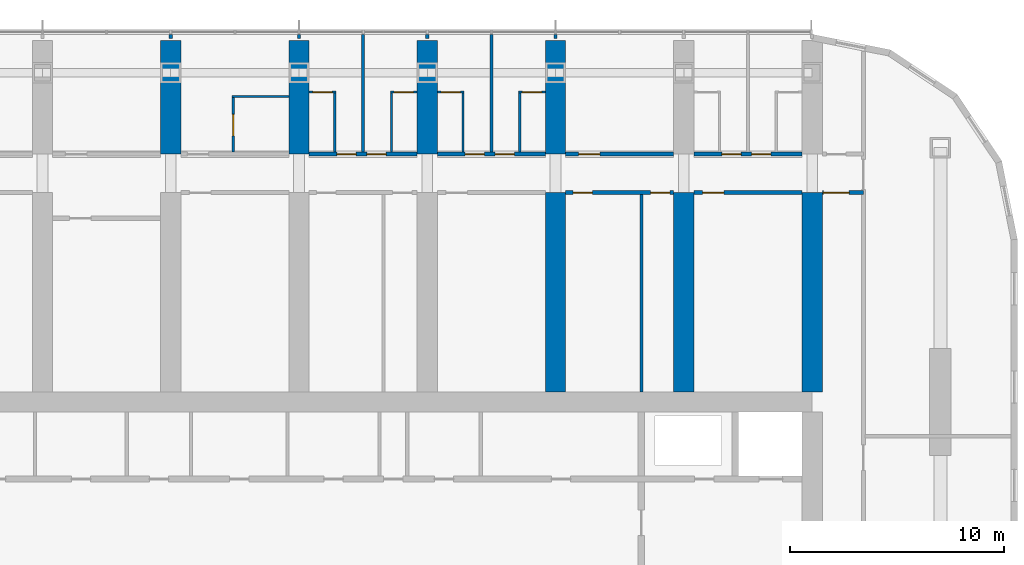
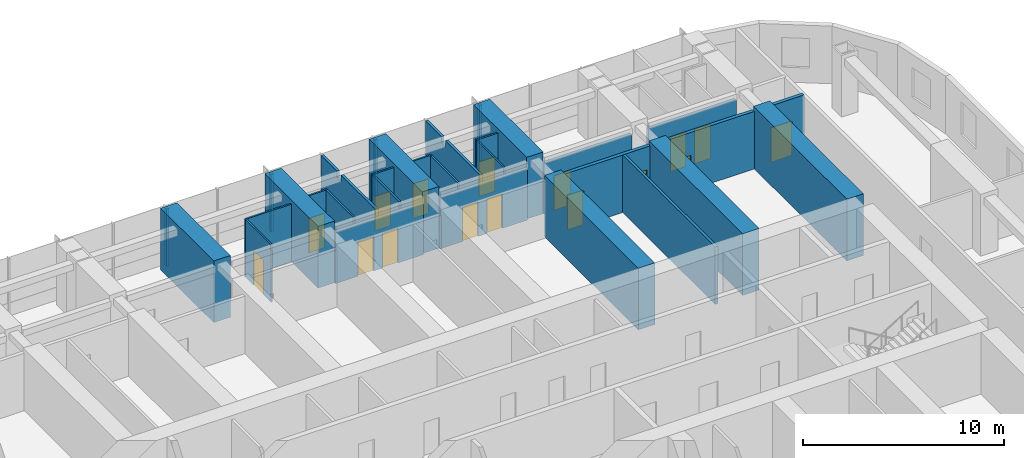
# One storey, part 14 of 21: 31 walls, 16 doors, 16 openings.
"""IFC4 building model written with IfcOpenShell, lengths in metres."""

from ifc_helpers import new_model, si_unit, direction, frame, frame_2d, origin, place, context, subcontext, project, spatial, polyline, rectangle, outline, extrude, material, layer, layer_set, type_object, element, fill, save


model = new_model("IFC4")

# Units and contexts
model_context = context("Model", 3, precision=1e-05, world=origin(), true_north=direction((0.0, 1.0)))
body_context = subcontext(model_context, "Body", "Model", "MODEL_VIEW")
ifc_project = project(units=[si_unit("LENGTHUNIT", "METRE"), si_unit("AREAUNIT", "SQUARE_METRE"), si_unit("VOLUMEUNIT", "CUBIC_METRE"), si_unit("PLANEANGLEUNIT", "RADIAN"), si_unit("MASSUNIT", "GRAM", prefix="KILO")], contexts=[model_context])

# Site, building, storey
site_placement = place(None, origin())
site = spatial("IfcSite", under=ifc_project, at=site_placement, CompositionType="ELEMENT")
building_placement = place(site_placement, origin())
building = spatial("IfcBuilding", under=site, at=building_placement, Name="Orbita Commons", CompositionType="ELEMENT")
storey_placement = place(building_placement, frame((0.0, 0.0, 106.89990234375)))
storey = spatial("IfcBuildingStorey", under=building, at=storey_placement, Name="L26", CompositionType="ELEMENT", Elevation=106.89990234375)

# Wall, openings, doors
ifc_material_1 = material(Name="Concrete blockwork", Category="masonry")
ifc_layer_1 = layer(ifc_material_1, 0.199951171875)
ifc_layer_set_1 = layer_set([ifc_layer_1], Name="Concrete blockwork")
wall_type_1 = type_object("IfcWallType", Name="Corridor wall 200 blockwork", PredefinedType="SOLIDWALL", material=ifc_layer_set_1)
wall_1_placement = place(storey_placement, frame((42.47509765625, 49.800048828125, 0.0), z_axis=(0.0, 0.0, 1.0), x_axis=(1.0, 0.0, 0.0)))
wall_1 = element("IfcWall", 1, at=wall_1_placement, inside=storey, type_object=wall_type_1, Name="Corridor wall 200 blockwork L26", PredefinedType="SOLIDWALL", context=body_context, shape_type="SweptSolid", body=[
    extrude(outline(polyline([(0.0, 0.0), (5.0498046875, 0.0), (5.050048828125, 3.10009765625), (0.0, 3.10009765625), (0.0, 0.0)])), frame((0.0, 0.10009765625, 0.0), z_axis=(0.0, -1.0, 0.0), x_axis=(1.0, 0.0, 0.0)), (0.0, 0.0, 1.0), 0.199951171875),
])
opening_1_placement = place(wall_1_placement, frame((1.300048828125, 0.0, 0.0)))
opening_1 = element("IfcOpeningElement", 2, at=opening_1_placement, cuts=wall_1, Name="Opening D11", PredefinedType="OPENING", context=body_context, shape_type="SweptSolid", body=[
    extrude(rectangle(XDim=0.89990234375, YDim=2.10009765625, at=frame_2d((0.449951171875, 1.050048828125))), frame((0.0, 0.10986328125, 0.0), z_axis=(0.0, -1.0, 0.0), x_axis=(1.0, 0.0, 0.0)), (0.0, 0.0, 1.0), 0.219970703125),
])
opening_2_placement = place(wall_1_placement, frame((2.699951171875, 0.0, 0.0)))
opening_2 = element("IfcOpeningElement", 3, at=opening_2_placement, cuts=wall_1, Name="Opening D11", PredefinedType="OPENING", context=body_context, shape_type="SweptSolid", body=[
    extrude(rectangle(XDim=0.89990234375, YDim=2.10009765625, at=frame_2d((0.449951171875, 1.050048828125))), frame((0.0, 0.10986328125, 0.0), z_axis=(0.0, -1.0, 0.0), x_axis=(1.0, 0.0, 0.0)), (0.0, 0.0, 1.0), 0.219970703125),
])
ifc_material_2 = material(Name="Steel-faced fire door leaf", Category="steel")
door_type_1 = type_object("IfcDoorType", Name="Corridor door 20 min 900x2100", OperationType="SINGLE_SWING_LEFT", PredefinedType="DOOR", material=ifc_material_2)
door_1_placement = place(opening_1_placement, origin())
door_1 = element("IfcDoor", 4, at=door_1_placement, inside=storey, type_object=door_type_1, Name="Cluster bedroom L26-N10 door", OperationType="SINGLE_SWING_LEFT", OverallHeight=2.10009765625, OverallWidth=0.89990234375, PredefinedType="DOOR", context=body_context, shape_type="SweptSolid", body=[
    extrude(rectangle(XDim=0.89990234375, YDim=2.10009765625, at=frame_2d((0.449951171875, 1.050048828125))), frame((0.0, 0.02490234375, 0.0), z_axis=(0.0, -1.0, 0.0), x_axis=(1.0, 0.0, 0.0)), (0.0, 0.0, 1.0), 0.050048828125),
])
fill(opening_1, door_1)
door_2_placement = place(opening_2_placement, origin())
door_2 = element("IfcDoor", 5, at=door_2_placement, inside=storey, type_object=door_type_1, Name="Cluster bedroom L26-N11 door", OperationType="SINGLE_SWING_LEFT", OverallHeight=2.10009765625, OverallWidth=0.89990234375, PredefinedType="DOOR", context=body_context, shape_type="SweptSolid", body=[
    extrude(rectangle(XDim=0.89990234375, YDim=2.10009765625, at=frame_2d((0.449951171875, 1.050048828125))), frame((0.0, 0.02490234375, 0.0), z_axis=(0.0, -1.0, 0.0), x_axis=(1.0, 0.0, 0.0)), (0.0, 0.0, 1.0), 0.050048828125),
])
fill(opening_2, door_2)

wall_2_placement = place(storey_placement, frame((48.47509765625, 49.800048828125, 0.0), z_axis=(0.0, 0.0, 1.0), x_axis=(1.0, 0.0, 0.0)))
wall_2 = element("IfcWall", 6, at=wall_2_placement, inside=storey, type_object=wall_type_1, Name="Corridor wall 200 blockwork L26", PredefinedType="SOLIDWALL", context=body_context, shape_type="SweptSolid", body=[
    extrude(outline(polyline([(0.0, 0.0), (5.0498046875, 0.0), (5.050048828125, 3.10009765625), (0.0, 3.10009765625), (0.0, 0.0)])), frame((0.0, 0.10009765625, 0.0), z_axis=(0.0, -1.0, 0.0), x_axis=(1.0, 0.0, 0.0)), (0.0, 0.0, 1.0), 0.199951171875),
])
opening_3_placement = place(wall_2_placement, frame((1.300048828125, 0.0, 0.0)))
opening_3 = element("IfcOpeningElement", 7, at=opening_3_placement, cuts=wall_2, Name="Opening D11", PredefinedType="OPENING", context=body_context, shape_type="SweptSolid", body=[
    extrude(rectangle(XDim=0.89990234375, YDim=2.10009765625, at=frame_2d((0.449951171875, 1.050048828125))), frame((0.0, 0.10986328125, 0.0), z_axis=(0.0, -1.0, 0.0), x_axis=(1.0, 0.0, 0.0)), (0.0, 0.0, 1.0), 0.219970703125),
])
opening_4_placement = place(wall_2_placement, frame((2.699951171875, 0.0, 0.0)))
opening_4 = element("IfcOpeningElement", 8, at=opening_4_placement, cuts=wall_2, Name="Opening D11", PredefinedType="OPENING", context=body_context, shape_type="SweptSolid", body=[
    extrude(rectangle(XDim=0.89990234375, YDim=2.10009765625, at=frame_2d((0.449951171875, 1.050048828125))), frame((0.0, 0.10986328125, 0.0), z_axis=(0.0, -1.0, 0.0), x_axis=(1.0, 0.0, 0.0)), (0.0, 0.0, 1.0), 0.219970703125),
])
door_3_placement = place(opening_3_placement, origin())
door_3 = element("IfcDoor", 9, at=door_3_placement, inside=storey, type_object=door_type_1, Name="Cluster bedroom L26-N12 door", OperationType="SINGLE_SWING_LEFT", OverallHeight=2.10009765625, OverallWidth=0.89990234375, PredefinedType="DOOR", context=body_context, shape_type="SweptSolid", body=[
    extrude(rectangle(XDim=0.89990234375, YDim=2.10009765625, at=frame_2d((0.449951171875, 1.050048828125))), frame((0.0, 0.02490234375, 0.0), z_axis=(0.0, -1.0, 0.0), x_axis=(1.0, 0.0, 0.0)), (0.0, 0.0, 1.0), 0.050048828125),
])
fill(opening_3, door_3)
door_4_placement = place(opening_4_placement, origin())
door_4 = element("IfcDoor", 10, at=door_4_placement, inside=storey, type_object=door_type_1, Name="Cluster bedroom L26-N13 door", OperationType="SINGLE_SWING_LEFT", OverallHeight=2.10009765625, OverallWidth=0.89990234375, PredefinedType="DOOR", context=body_context, shape_type="SweptSolid", body=[
    extrude(rectangle(XDim=0.89990234375, YDim=2.10009765625, at=frame_2d((0.449951171875, 1.050048828125))), frame((0.0, 0.02490234375, 0.0), z_axis=(0.0, -1.0, 0.0), x_axis=(1.0, 0.0, 0.0)), (0.0, 0.0, 1.0), 0.050048828125),
])
fill(opening_4, door_4)

# Wall, opening, door
wall_3_placement = place(storey_placement, frame((54.47509765625, 49.800048828125, 0.0), z_axis=(0.0, 0.0, 1.0), x_axis=(1.0, 0.0, 0.0)))
wall_3 = element("IfcWall", 11, at=wall_3_placement, inside=storey, type_object=wall_type_1, Name="Corridor wall 200 blockwork L26", PredefinedType="SOLIDWALL", context=body_context, shape_type="SweptSolid", body=[
    extrude(outline(polyline([(0.0, 0.0), (5.0498046875, 0.0), (5.050048828125, 3.10009765625), (0.0, 3.10009765625), (0.0, 0.0)])), frame((0.0, 0.10009765625, 0.0), z_axis=(0.0, -1.0, 0.0), x_axis=(1.0, 0.0, 0.0)), (0.0, 0.0, 1.0), 0.199951171875),
])
opening_5_placement = place(wall_3_placement, frame((0.60009765625, 0.0, 0.0)))
opening_5 = element("IfcOpeningElement", 12, at=opening_5_placement, cuts=wall_3, Name="Opening D06", PredefinedType="OPENING", context=body_context, shape_type="SweptSolid", body=[
    extrude(rectangle(XDim=1.0, YDim=2.10009765625, at=frame_2d((0.5, 1.050048828125))), frame((0.0, 0.10986328125, 0.0), z_axis=(0.0, -1.0, 0.0), x_axis=(1.0, 0.0, 0.0)), (0.0, 0.0, 1.0), 0.219970703125),
])
ifc_material_3 = material(Name="Steel-faced fire door leaf", Category="steel")
door_type_2 = type_object("IfcDoorType", Name="Corridor door 20 min 1000x2100", OperationType="SINGLE_SWING_LEFT", PredefinedType="DOOR", material=ifc_material_3)
door_5_placement = place(opening_5_placement, origin())
door_5 = element("IfcDoor", 13, at=door_5_placement, inside=storey, type_object=door_type_2, Name="Cluster kitchen-diner L26-N14 door", OperationType="SINGLE_SWING_LEFT", OverallHeight=2.10009765625, OverallWidth=1.0, PredefinedType="DOOR", context=body_context, shape_type="SweptSolid", body=[
    extrude(rectangle(XDim=1.0, YDim=2.10009765625, at=frame_2d((0.5, 1.050048828125))), frame((0.0, 0.02490234375, 0.0), z_axis=(0.0, -1.0, 0.0), x_axis=(1.0, 0.0, 0.0)), (0.0, 0.0, 1.0), 0.050048828125),
])
fill(opening_5, door_5)

# Wall, openings, doors
wall_4_placement = place(storey_placement, frame((60.47509765625, 49.800048828125, 0.0), z_axis=(0.0, 0.0, 1.0), x_axis=(1.0, 0.0, 0.0)))
wall_4 = element("IfcWall", 14, at=wall_4_placement, inside=storey, type_object=wall_type_1, Name="Corridor wall 200 blockwork L26", PredefinedType="SOLIDWALL", context=body_context, shape_type="SweptSolid", body=[
    extrude(outline(polyline([(0.0, 0.0), (5.0498046875, 0.0), (5.050048828125, 3.10009765625), (0.0, 3.10009765625), (0.0, 0.0)])), frame((0.0, 0.10009765625, 0.0), z_axis=(0.0, -1.0, 0.0), x_axis=(1.0, 0.0, 0.0)), (0.0, 0.0, 1.0), 0.199951171875),
])
opening_6_placement = place(wall_4_placement, frame((1.300048828125, 0.0, 0.0)))
opening_6 = element("IfcOpeningElement", 15, at=opening_6_placement, cuts=wall_4, Name="Opening D11", PredefinedType="OPENING", context=body_context, shape_type="SweptSolid", body=[
    extrude(rectangle(XDim=0.89990234375, YDim=2.10009765625, at=frame_2d((0.449951171875, 1.050048828125))), frame((0.0, 0.10986328125, 0.0), z_axis=(0.0, -1.0, 0.0), x_axis=(1.0, 0.0, 0.0)), (0.0, 0.0, 1.0), 0.219970703125),
])
opening_7_placement = place(wall_4_placement, frame((2.699951171875, 0.0, 0.0)))
opening_7 = element("IfcOpeningElement", 16, at=opening_7_placement, cuts=wall_4, Name="Opening D11", PredefinedType="OPENING", context=body_context, shape_type="SweptSolid", body=[
    extrude(rectangle(XDim=0.89990234375, YDim=2.10009765625, at=frame_2d((0.449951171875, 1.050048828125))), frame((0.0, 0.10986328125, 0.0), z_axis=(0.0, -1.0, 0.0), x_axis=(1.0, 0.0, 0.0)), (0.0, 0.0, 1.0), 0.219970703125),
])
door_6_placement = place(opening_6_placement, origin())
door_6 = element("IfcDoor", 17, at=door_6_placement, inside=storey, type_object=door_type_1, Name="Cluster bedroom L26-N16 door", OperationType="SINGLE_SWING_LEFT", OverallHeight=2.10009765625, OverallWidth=0.89990234375, PredefinedType="DOOR", context=body_context, shape_type="SweptSolid", body=[
    extrude(rectangle(XDim=0.89990234375, YDim=2.10009765625, at=frame_2d((0.449951171875, 1.050048828125))), frame((0.0, 0.02490234375, 0.0), z_axis=(0.0, -1.0, 0.0), x_axis=(1.0, 0.0, 0.0)), (0.0, 0.0, 1.0), 0.050048828125),
])
fill(opening_6, door_6)
door_7_placement = place(opening_7_placement, origin())
door_7 = element("IfcDoor", 18, at=door_7_placement, inside=storey, type_object=door_type_1, Name="Cluster bedroom L26-N17 door", OperationType="SINGLE_SWING_LEFT", OverallHeight=2.10009765625, OverallWidth=0.89990234375, PredefinedType="DOOR", context=body_context, shape_type="SweptSolid", body=[
    extrude(rectangle(XDim=0.89990234375, YDim=2.10009765625, at=frame_2d((0.449951171875, 1.050048828125))), frame((0.0, 0.02490234375, 0.0), z_axis=(0.0, -1.0, 0.0), x_axis=(1.0, 0.0, 0.0)), (0.0, 0.0, 1.0), 0.050048828125),
])
fill(opening_7, door_7)

ifc_material_4 = material(Name="Hollow concrete block 200", Category="concrete")
ifc_layer_2 = layer(ifc_material_4, 0.199951171875)
ifc_layer_set_2 = layer_set([ifc_layer_2], Name="Hollow concrete block 200")
wall_type_2 = type_object("IfcWallType", Name="Corridor wall 200 hollow concrete block", PredefinedType="SOLIDWALL", material=ifc_layer_set_2)
wall_5_placement = place(storey_placement, frame((54.47509765625, 48.0, 0.0), z_axis=(0.0, 0.0, 1.0), x_axis=(1.0, 0.0, 0.0)))
wall_5 = element("IfcWall", 19, at=wall_5_placement, inside=storey, type_object=wall_type_2, Name="Corridor wall 200 hollow concrete block L26", PredefinedType="SOLIDWALL", context=body_context, shape_type="SweptSolid", body=[
    extrude(rectangle(XDim=5.0498046875, YDim=0.199951171875, at=frame_2d((2.52490234375, 0.0))), origin(), (0.0, 0.0, 1.0), 3.5),
])
opening_8_placement = place(wall_5_placement, frame((0.35009765625, 0.0, 0.0)))
opening_8 = element("IfcOpeningElement", 20, at=opening_8_placement, cuts=wall_5, Name="Opening D11", PredefinedType="OPENING", context=body_context, shape_type="SweptSolid", body=[
    extrude(rectangle(XDim=0.89990234375, YDim=2.10009765625, at=frame_2d((0.449951171875, 1.050048828125))), frame((0.0, 0.10986328125, 0.0), z_axis=(0.0, -1.0, 0.0), x_axis=(1.0, 0.0, 0.0)), (0.0, 0.0, 1.0), 0.219970703125),
])
opening_9_placement = place(wall_5_placement, frame((3.97509765625, 0.0, 0.0)))
opening_9 = element("IfcOpeningElement", 21, at=opening_9_placement, cuts=wall_5, Name="Opening D11", PredefinedType="OPENING", context=body_context, shape_type="SweptSolid", body=[
    extrude(rectangle(XDim=0.89990234375, YDim=2.10009765625, at=frame_2d((0.449951171875, 1.050048828125))), frame((0.0, 0.10986328125, 0.0), z_axis=(0.0, -1.0, 0.0), x_axis=(1.0, 0.0, 0.0)), (0.0, 0.0, 1.0), 0.219970703125),
])
door_8_placement = place(opening_8_placement, origin())
door_8 = element("IfcDoor", 22, at=door_8_placement, inside=storey, type_object=door_type_1, Name="Cluster pantry L26-BDN54 door", OperationType="SINGLE_SWING_LEFT", OverallHeight=2.10009765625, OverallWidth=0.89990234375, PredefinedType="DOOR", context=body_context, shape_type="SweptSolid", body=[
    extrude(rectangle(XDim=0.89990234375, YDim=2.10009765625, at=frame_2d((0.449951171875, 1.050048828125))), frame((0.0, 0.02490234375, 0.0), z_axis=(0.0, -1.0, 0.0), x_axis=(1.0, 0.0, 0.0)), (0.0, 0.0, 1.0), 0.050048828125),
])
fill(opening_8, door_8)
door_9_placement = place(opening_9_placement, origin())
door_9 = element("IfcDoor", 23, at=door_9_placement, inside=storey, type_object=door_type_1, Name="Riser access cupboard L26-BDN54n door", OperationType="SINGLE_SWING_LEFT", OverallHeight=2.10009765625, OverallWidth=0.89990234375, PredefinedType="DOOR", context=body_context, shape_type="SweptSolid", body=[
    extrude(rectangle(XDim=0.89990234375, YDim=2.10009765625, at=frame_2d((0.449951171875, 1.050048828125))), frame((0.0, 0.02490234375, 0.0), z_axis=(0.0, -1.0, 0.0), x_axis=(1.0, 0.0, 0.0)), (0.0, 0.0, 1.0), 0.050048828125),
])
fill(opening_9, door_9)

# Wall, opening, door
wall_6_placement = place(storey_placement, frame((60.47509765625, 48.0, 0.0), z_axis=(0.0, 0.0, 1.0), x_axis=(1.0, 0.0, 0.0)))
wall_6 = element("IfcWall", 24, at=wall_6_placement, inside=storey, type_object=wall_type_2, Name="Corridor wall 200 hollow concrete block L26", PredefinedType="SOLIDWALL", context=body_context, shape_type="SweptSolid", body=[
    extrude(rectangle(XDim=5.0498046875, YDim=0.199951171875, at=frame_2d((2.52490234375, 0.0))), origin(), (0.0, 0.0, 1.0), 3.5),
])
opening_10_placement = place(wall_6_placement, frame((0.39990234375, 0.0, 0.0)))
opening_10 = element("IfcOpeningElement", 25, at=opening_10_placement, cuts=wall_6, Name="Opening D06", PredefinedType="OPENING", context=body_context, shape_type="SweptSolid", body=[
    extrude(rectangle(XDim=1.0, YDim=2.10009765625, at=frame_2d((0.5, 1.050048828125))), frame((0.0, 0.10986328125, 0.0), z_axis=(0.0, -1.0, 0.0), x_axis=(1.0, 0.0, 0.0)), (0.0, 0.0, 1.0), 0.219970703125),
])
door_10_placement = place(opening_10_placement, origin())
door_10 = element("IfcDoor", 26, at=door_10_placement, inside=storey, type_object=door_type_2, Name="Store L26-BDN60 door", OperationType="SINGLE_SWING_LEFT", OverallHeight=2.10009765625, OverallWidth=1.0, PredefinedType="DOOR", context=body_context, shape_type="SweptSolid", body=[
    extrude(rectangle(XDim=1.0, YDim=2.10009765625, at=frame_2d((0.5, 1.050048828125))), frame((0.0, 0.02490234375, 0.0), z_axis=(0.0, -1.0, 0.0), x_axis=(1.0, 0.0, 0.0)), (0.0, 0.0, 1.0), 0.050048828125),
])
fill(opening_10, door_10)

wall_7_placement = place(storey_placement, frame((66.47509765625, 48.0, 0.0), z_axis=(0.0, 0.0, 1.0), x_axis=(1.0, 0.0, 0.0)))
wall_7 = element("IfcWall", 27, at=wall_7_placement, inside=storey, type_object=wall_type_2, Name="Corridor wall 200 hollow concrete block L26", PredefinedType="SOLIDWALL", context=body_context, shape_type="SweptSolid", body=[
    extrude(rectangle(XDim=1.9248046875, YDim=0.199951171875, at=frame_2d((0.96240234375, 0.0))), origin(), (0.0, 0.0, 1.0), 3.5),
])
opening_11_placement = place(wall_7_placement, frame((0.050048828125, 0.0, 0.0)))
opening_11 = element("IfcOpeningElement", 28, at=opening_11_placement, cuts=wall_7, Name="Opening D12", PredefinedType="OPENING", context=body_context, shape_type="SweptSolid", body=[
    extrude(rectangle(XDim=1.199951171875, YDim=2.10009765625, at=frame_2d((0.60009765625, 1.050048828125))), frame((0.0, 0.10986328125, 0.0), z_axis=(0.0, -1.0, 0.0), x_axis=(1.0, 0.0, 0.0)), (0.0, 0.0, 1.0), 0.219970703125),
])
ifc_material_5 = material(Name="Steel-faced fire door leaf", Category="steel")
door_type_3 = type_object("IfcDoorType", Name="Double corridor door 20 min 1200x2100", OperationType="DOUBLE_DOOR_SINGLE_SWING", PredefinedType="DOOR", material=ifc_material_5)
door_11_placement = place(opening_11_placement, origin())
door_11 = element("IfcDoor", 29, at=door_11_placement, inside=storey, type_object=door_type_3, Name="Cross corridor doors", OperationType="DOUBLE_DOOR_SINGLE_SWING", OverallHeight=2.10009765625, OverallWidth=1.199951171875, PredefinedType="DOOR", context=body_context, shape_type="SweptSolid", body=[
    extrude(rectangle(XDim=1.199951171875, YDim=2.10009765625, at=frame_2d((0.60009765625, 1.050048828125))), frame((0.0, 0.02490234375, 0.0), z_axis=(0.0, -1.0, 0.0), x_axis=(1.0, 0.0, 0.0)), (0.0, 0.0, 1.0), 0.050048828125),
])
fill(opening_11, door_11)

# Walls
ifc_material_6 = material(Name="Concrete C50/60", Category="concrete")
ifc_layer_3 = layer(ifc_material_6, 0.949951171875)
ifc_layer_set_3 = layer_set([ifc_layer_3], Name="Concrete C50/60")
wall_type_3 = type_object("IfcWallType", Name="Cross wall 950 C50/60", PredefinedType="SHEAR", material=ifc_layer_set_3)
for number, where, z_axis, x_axis, name in (
    (30, (36.0, 49.800048828125, 0.0), (0.0, 0.0, 1.0), (0.0, 1.0, 0.0), "Cross wall 7 north outer L26"),
    (31, (42.0, 49.800048828125, 0.0), (0.0, 0.0, 1.0), (0.0, 1.0, 0.0), "Cross wall 8 north outer L26"),
    (32, (48.0, 49.800048828125, 0.0), (0.0, 0.0, 1.0), (0.0, 1.0, 0.0), "Cross wall 9 north outer L26"),
    (33, (54.0, 49.800048828125, 0.0), (0.0, 0.0, 1.0), (0.0, 1.0, 0.0), "Cross wall 10 north outer L26"),
):
    element("IfcWall", number, at=place(storey_placement, frame(where, z_axis=z_axis, x_axis=x_axis)), inside=storey, type_object=wall_type_3, Name=name, PredefinedType="SHEAR", context=body_context, shape_type="SweptSolid", body=[
        extrude(rectangle(XDim=5.300048828125, YDim=0.949951171875, at=frame_2d((2.64990234375, 0.0))), origin(), (0.0, 0.0, 1.0), 3.75),
    ])
for number, where, z_axis, x_axis, name in (
    (34, (54.0, 38.675048828125, 0.0), (0.0, 0.0, 1.0), (0.0, 1.0, 0.0), "Cross wall 10 north inner L26"),
    (35, (60.0, 38.675048828125, 0.0), (0.0, 0.0, 1.0), (0.0, 1.0, 0.0), "Cross wall 11 north inner L26"),
    (36, (66.0, 38.675048828125, 0.0), (0.0, 0.0, 1.0), (0.0, 1.0, 0.0), "Cross wall 12 north inner L26"),
):
    element("IfcWall", number, at=place(storey_placement, frame(where, z_axis=z_axis, x_axis=x_axis)), inside=storey, type_object=wall_type_3, Name=name, PredefinedType="SHEAR", context=body_context, shape_type="SweptSolid", body=[
        extrude(rectangle(XDim=9.324951171875, YDim=0.949951171875, at=frame_2d((4.66259765625, 0.0))), origin(), (0.0, 0.0, 1.0), 3.75),
    ])
ifc_material_7 = material(Name="Moisture-resistant plasterboard on steel studs", Category="steel")
ifc_layer_4 = layer(ifc_material_7, 0.10009765625)
ifc_layer_set_4 = layer_set([ifc_layer_4], Name="Moisture-resistant plasterboard on steel studs")
wall_type_4 = type_object("IfcWallType", Name="En-suite partition 100", PredefinedType="PARTITIONING", material=ifc_layer_set_4)
wall_8_placement = place(storey_placement, frame((38.875, 52.5, 0.0), z_axis=(0.0, 0.0, 1.0), x_axis=(1.0, 0.0, 0.0)))
element("IfcWall", 37, at=wall_8_placement, inside=storey, type_object=wall_type_4, Name="En-suite partition 100 L26", PredefinedType="PARTITIONING", context=body_context, shape_type="SweptSolid", body=[
    extrude(rectangle(XDim=2.64990234375, YDim=0.10009765625, at=frame_2d((1.324951171875, 0.0))), origin(), (0.0, 0.0, 1.0), 3.5),
])

# Wall, opening, door
wall_9_placement = place(storey_placement, frame((38.925048828125, 52.449951171875, 0.0), z_axis=(0.0, 0.0, 1.0), x_axis=(0.0, -1.0, 0.0)))
wall_9 = element("IfcWall", 38, at=wall_9_placement, inside=storey, type_object=wall_type_4, Name="En-suite partition 100 L26", PredefinedType="PARTITIONING", context=body_context, shape_type="SweptSolid", body=[
    extrude(outline(polyline([(0.0, 0.0), (2.550048828125, 0.0), (2.550048828125, 3.10009765625), (2.501953125, 3.10009765625), (2.5, 3.5), (0.0, 3.5), (0.0, 0.0)])), frame((0.0, 0.050048828125, 0.0), z_axis=(0.0, -1.0, 0.0), x_axis=(1.0, 0.0, 0.0)), (0.0, 0.0, 1.0), 0.10009765625),
])
opening_12_placement = place(wall_9_placement, frame((0.800048828125, 0.0, 0.0)))
opening_12 = element("IfcOpeningElement", 39, at=opening_12_placement, cuts=wall_9, Name="Opening D13", PredefinedType="OPENING", context=body_context, shape_type="SweptSolid", body=[
    extrude(rectangle(XDim=1.0, YDim=2.10009765625, at=frame_2d((0.5, 1.050048828125))), frame((0.0, 0.06005859375, 0.0), z_axis=(0.0, -1.0, 0.0), x_axis=(1.0, 0.0, 0.0)), (0.0, 0.0, 1.0), 0.1201171875),
])
ifc_material_8 = material(Name="Laminated timber door leaf", Category="wood")
door_type_4 = type_object("IfcDoorType", Name="En-suite door 1000x2100", OperationType="SINGLE_SWING_RIGHT", PredefinedType="DOOR", material=ifc_material_8)
door_12_placement = place(opening_12_placement, origin())
door_12 = element("IfcDoor", 40, at=door_12_placement, inside=storey, type_object=door_type_4, Name="Accessible shower room L26-N08 door", OperationType="SINGLE_SWING_RIGHT", OverallHeight=2.10009765625, OverallWidth=1.0, PredefinedType="DOOR", context=body_context, shape_type="SweptSolid", body=[
    extrude(rectangle(XDim=1.0, YDim=2.10009765625, at=frame_2d((0.5, 1.050048828125))), frame((0.0, 0.02490234375, 0.0), z_axis=(0.0, -1.0, 0.0), x_axis=(1.0, 0.0, 0.0)), (0.0, 0.0, 1.0), 0.050048828125),
])
fill(opening_12, door_12)

wall_10_placement = place(storey_placement, frame((42.47509765625, 52.699951171875, 0.0), z_axis=(0.0, 0.0, 1.0), x_axis=(1.0, 0.0, 0.0)))
wall_10 = element("IfcWall", 41, at=wall_10_placement, inside=storey, type_object=wall_type_4, Name="En-suite partition 100 L26", PredefinedType="PARTITIONING", context=body_context, shape_type="SweptSolid", body=[
    extrude(rectangle(XDim=1.25, YDim=0.10009765625, at=frame_2d((0.625, 0.0))), origin(), (0.0, 0.0, 1.0), 3.5),
])
opening_13_placement = place(wall_10_placement, frame((0.175048828125, 0.0, 0.0)))
opening_13 = element("IfcOpeningElement", 42, at=opening_13_placement, cuts=wall_10, Name="Opening D09", PredefinedType="OPENING", context=body_context, shape_type="SweptSolid", body=[
    extrude(rectangle(XDim=0.89990234375, YDim=2.10009765625, at=frame_2d((0.449951171875, 1.050048828125))), frame((0.0, 0.06005859375, 0.0), z_axis=(0.0, -1.0, 0.0), x_axis=(1.0, 0.0, 0.0)), (0.0, 0.0, 1.0), 0.1201171875),
])
ifc_material_9 = material(Name="Laminated timber door leaf", Category="wood")
door_type_5 = type_object("IfcDoorType", Name="En-suite door 900x2100", OperationType="SINGLE_SWING_RIGHT", PredefinedType="DOOR", material=ifc_material_9)
door_13_placement = place(opening_13_placement, origin())
door_13 = element("IfcDoor", 43, at=door_13_placement, inside=storey, type_object=door_type_5, Name="En-suite L26-N10 door", OperationType="SINGLE_SWING_RIGHT", OverallHeight=2.10009765625, OverallWidth=0.89990234375, PredefinedType="DOOR", context=body_context, shape_type="SweptSolid", body=[
    extrude(rectangle(XDim=0.89990234375, YDim=2.10009765625, at=frame_2d((0.449951171875, 1.050048828125))), frame((0.0, 0.02490234375, 0.0), z_axis=(0.0, -1.0, 0.0), x_axis=(1.0, 0.0, 0.0)), (0.0, 0.0, 1.0), 0.050048828125),
])
fill(opening_13, door_13)

# Wall
wall_11_placement = place(storey_placement, frame((43.675048828125, 52.64990234375, 0.0), z_axis=(0.0, 0.0, 1.0), x_axis=(0.0, -1.0, 0.0)))
element("IfcWall", 44, at=wall_11_placement, inside=storey, type_object=wall_type_4, Name="En-suite partition 100 L26", PredefinedType="PARTITIONING", context=body_context, shape_type="SweptSolid", body=[
    extrude(outline(polyline([(0.0, 0.0), (2.75, 0.0), (2.75, 3.10009765625), (2.701904296875, 3.10009765625), (2.699951171875, 3.5), (0.0, 3.5), (0.0, 0.0)])), frame((0.0, 0.050048828125, 0.0), z_axis=(0.0, -1.0, 0.0), x_axis=(1.0, 0.0, 0.0)), (0.0, 0.0, 1.0), 0.10009765625),
])

# Wall, opening, door
wall_12_placement = place(storey_placement, frame((46.27490234375, 52.699951171875, 0.0), z_axis=(0.0, 0.0, 1.0), x_axis=(1.0, 0.0, 0.0)))
wall_12 = element("IfcWall", 45, at=wall_12_placement, inside=storey, type_object=wall_type_4, Name="En-suite partition 100 L26", PredefinedType="PARTITIONING", context=body_context, shape_type="SweptSolid", body=[
    extrude(rectangle(XDim=1.25, YDim=0.10009765625, at=frame_2d((0.625, 0.0))), origin(), (0.0, 0.0, 1.0), 3.5),
])
opening_14_placement = place(wall_12_placement, frame((0.175048828125, 0.0, 0.0)))
opening_14 = element("IfcOpeningElement", 46, at=opening_14_placement, cuts=wall_12, Name="Opening D09", PredefinedType="OPENING", context=body_context, shape_type="SweptSolid", body=[
    extrude(rectangle(XDim=0.89990234375, YDim=2.10009765625, at=frame_2d((0.449951171875, 1.050048828125))), frame((0.0, 0.06005859375, 0.0), z_axis=(0.0, -1.0, 0.0), x_axis=(1.0, 0.0, 0.0)), (0.0, 0.0, 1.0), 0.1201171875),
])
door_14_placement = place(opening_14_placement, origin())
door_14 = element("IfcDoor", 47, at=door_14_placement, inside=storey, type_object=door_type_5, Name="En-suite L26-N11 door", OperationType="SINGLE_SWING_RIGHT", OverallHeight=2.10009765625, OverallWidth=0.89990234375, PredefinedType="DOOR", context=body_context, shape_type="SweptSolid", body=[
    extrude(rectangle(XDim=0.89990234375, YDim=2.10009765625, at=frame_2d((0.449951171875, 1.050048828125))), frame((0.0, 0.02490234375, 0.0), z_axis=(0.0, -1.0, 0.0), x_axis=(1.0, 0.0, 0.0)), (0.0, 0.0, 1.0), 0.050048828125),
])
fill(opening_14, door_14)

# Wall
wall_13_placement = place(storey_placement, frame((46.324951171875, 52.64990234375, 0.0), z_axis=(0.0, 0.0, 1.0), x_axis=(0.0, -1.0, 0.0)))
element("IfcWall", 48, at=wall_13_placement, inside=storey, type_object=wall_type_4, Name="En-suite partition 100 L26", PredefinedType="PARTITIONING", context=body_context, shape_type="SweptSolid", body=[
    extrude(outline(polyline([(0.0, 0.0), (2.75, 0.0), (2.75, 3.10009765625), (2.701904296875, 3.10009765625), (2.699951171875, 3.5), (0.0, 3.5), (0.0, 0.0)])), frame((0.0, 0.050048828125, 0.0), z_axis=(0.0, -1.0, 0.0), x_axis=(1.0, 0.0, 0.0)), (0.0, 0.0, 1.0), 0.10009765625),
])

# Wall, opening, door
wall_14_placement = place(storey_placement, frame((48.47509765625, 52.699951171875, 0.0), z_axis=(0.0, 0.0, 1.0), x_axis=(1.0, 0.0, 0.0)))
wall_14 = element("IfcWall", 49, at=wall_14_placement, inside=storey, type_object=wall_type_4, Name="En-suite partition 100 L26", PredefinedType="PARTITIONING", context=body_context, shape_type="SweptSolid", body=[
    extrude(rectangle(XDim=1.25, YDim=0.10009765625, at=frame_2d((0.625, 0.0))), origin(), (0.0, 0.0, 1.0), 3.5),
])
opening_15_placement = place(wall_14_placement, frame((0.175048828125, 0.0, 0.0)))
opening_15 = element("IfcOpeningElement", 50, at=opening_15_placement, cuts=wall_14, Name="Opening D09", PredefinedType="OPENING", context=body_context, shape_type="SweptSolid", body=[
    extrude(rectangle(XDim=0.89990234375, YDim=2.10009765625, at=frame_2d((0.449951171875, 1.050048828125))), frame((0.0, 0.06005859375, 0.0), z_axis=(0.0, -1.0, 0.0), x_axis=(1.0, 0.0, 0.0)), (0.0, 0.0, 1.0), 0.1201171875),
])
door_15_placement = place(opening_15_placement, origin())
door_15 = element("IfcDoor", 51, at=door_15_placement, inside=storey, type_object=door_type_5, Name="En-suite L26-N12 door", OperationType="SINGLE_SWING_RIGHT", OverallHeight=2.10009765625, OverallWidth=0.89990234375, PredefinedType="DOOR", context=body_context, shape_type="SweptSolid", body=[
    extrude(rectangle(XDim=0.89990234375, YDim=2.10009765625, at=frame_2d((0.449951171875, 1.050048828125))), frame((0.0, 0.02490234375, 0.0), z_axis=(0.0, -1.0, 0.0), x_axis=(1.0, 0.0, 0.0)), (0.0, 0.0, 1.0), 0.050048828125),
])
fill(opening_15, door_15)

# Wall
wall_15_placement = place(storey_placement, frame((49.675048828125, 52.64990234375, 0.0), z_axis=(0.0, 0.0, 1.0), x_axis=(0.0, -1.0, 0.0)))
element("IfcWall", 52, at=wall_15_placement, inside=storey, type_object=wall_type_4, Name="En-suite partition 100 L26", PredefinedType="PARTITIONING", context=body_context, shape_type="SweptSolid", body=[
    extrude(outline(polyline([(0.0, 0.0), (2.75, 0.0), (2.75, 3.10009765625), (2.701904296875, 3.10009765625), (2.699951171875, 3.5), (0.0, 3.5), (0.0, 0.0)])), frame((0.0, 0.050048828125, 0.0), z_axis=(0.0, -1.0, 0.0), x_axis=(1.0, 0.0, 0.0)), (0.0, 0.0, 1.0), 0.10009765625),
])

# Wall, opening, door
wall_16_placement = place(storey_placement, frame((52.27490234375, 52.699951171875, 0.0), z_axis=(0.0, 0.0, 1.0), x_axis=(1.0, 0.0, 0.0)))
wall_16 = element("IfcWall", 53, at=wall_16_placement, inside=storey, type_object=wall_type_4, Name="En-suite partition 100 L26", PredefinedType="PARTITIONING", context=body_context, shape_type="SweptSolid", body=[
    extrude(rectangle(XDim=1.25, YDim=0.10009765625, at=frame_2d((0.625, 0.0))), origin(), (0.0, 0.0, 1.0), 3.5),
])
opening_16_placement = place(wall_16_placement, frame((0.175048828125, 0.0, 0.0)))
opening_16 = element("IfcOpeningElement", 54, at=opening_16_placement, cuts=wall_16, Name="Opening D09", PredefinedType="OPENING", context=body_context, shape_type="SweptSolid", body=[
    extrude(rectangle(XDim=0.89990234375, YDim=2.10009765625, at=frame_2d((0.449951171875, 1.050048828125))), frame((0.0, 0.06005859375, 0.0), z_axis=(0.0, -1.0, 0.0), x_axis=(1.0, 0.0, 0.0)), (0.0, 0.0, 1.0), 0.1201171875),
])
door_16_placement = place(opening_16_placement, origin())
door_16 = element("IfcDoor", 55, at=door_16_placement, inside=storey, type_object=door_type_5, Name="En-suite L26-N13 door", OperationType="SINGLE_SWING_RIGHT", OverallHeight=2.10009765625, OverallWidth=0.89990234375, PredefinedType="DOOR", context=body_context, shape_type="SweptSolid", body=[
    extrude(rectangle(XDim=0.89990234375, YDim=2.10009765625, at=frame_2d((0.449951171875, 1.050048828125))), frame((0.0, 0.02490234375, 0.0), z_axis=(0.0, -1.0, 0.0), x_axis=(1.0, 0.0, 0.0)), (0.0, 0.0, 1.0), 0.050048828125),
])
fill(opening_16, door_16)

# Walls
wall_17_placement = place(storey_placement, frame((52.324951171875, 52.64990234375, 0.0), z_axis=(0.0, 0.0, 1.0), x_axis=(0.0, -1.0, 0.0)))
element("IfcWall", 56, at=wall_17_placement, inside=storey, type_object=wall_type_4, Name="En-suite partition 100 L26", PredefinedType="PARTITIONING", context=body_context, shape_type="SweptSolid", body=[
    extrude(outline(polyline([(0.0, 0.0), (2.75, 0.0), (2.75, 3.10009765625), (2.701904296875, 3.10009765625), (2.699951171875, 3.5), (0.0, 3.5), (0.0, 0.0)])), frame((0.0, 0.050048828125, 0.0), z_axis=(0.0, -1.0, 0.0), x_axis=(1.0, 0.0, 0.0)), (0.0, 0.0, 1.0), 0.10009765625),
])
ifc_material_10 = material(Name="Gypsum plasterboard on steel studs", Category="steel")
ifc_layer_5 = layer(ifc_material_10, 0.14990234375)
ifc_layer_set_5 = layer_set([ifc_layer_5], Name="Gypsum plasterboard on steel studs")
wall_type_5 = type_object("IfcWallType", Name="Partition 150 plasterboard", PredefinedType="PARTITIONING", material=ifc_layer_set_5)
wall_18_placement = place(storey_placement, frame((58.02490234375, 38.675048828125, 0.0), z_axis=(0.0, 0.0, 1.0), x_axis=(0.0, 1.0, 0.0)))
element("IfcWall", 57, at=wall_18_placement, inside=storey, type_object=wall_type_5, Name="Partition 150 plasterboard L26", PredefinedType="PARTITIONING", context=body_context, shape_type="SweptSolid", body=[
    extrude(rectangle(XDim=9.224853515625, YDim=0.14990234375, at=frame_2d((4.6123046875, 0.0))), origin(), (0.0, 0.0, 1.0), 3.5),
])
for number, where, z_axis, x_axis, name in (
    (58, (36.0, 55.199951171875, 0.0), (0.0, 0.0, 1.0), (0.0, 1.0, 0.0), "Partition 150 plasterboard L26"),
    (59, (42.0, 55.199951171875, 0.0), (0.0, 0.0, 1.0), (0.0, 1.0, 0.0), "Partition 150 plasterboard L26"),
    (60, (48.0, 55.199951171875, 0.0), (0.0, 0.0, 1.0), (0.0, 1.0, 0.0), "Partition 150 plasterboard L26"),
    (61, (54.0, 55.199951171875, 0.0), (0.0, 0.0, 1.0), (0.0, 1.0, 0.0), "Partition 150 plasterboard L26"),
):
    element("IfcWall", number, at=place(storey_placement, frame(where, z_axis=z_axis, x_axis=x_axis)), inside=storey, type_object=wall_type_5, Name=name, PredefinedType="PARTITIONING", context=body_context, shape_type="SweptSolid", body=[
        extrude(rectangle(XDim=0.18994140625, YDim=0.14990234375, at=frame_2d((0.094970703125, 0.0))), origin(), (0.0, 0.0, 1.0), 3.5),
    ])
ifc_material_11 = material(Name="Gypsum plasterboard on steel studs", Category="steel")
ifc_layer_6 = layer(ifc_material_11, 0.14990234375)
ifc_layer_set_6 = layer_set([ifc_layer_6], Name="Gypsum plasterboard on steel studs")
wall_type_6 = type_object("IfcWallType", Name="Party wall 150 plasterboard", PredefinedType="PARTITIONING", material=ifc_layer_set_6)
for number, where, z_axis, x_axis, name in (
    (62, (45.0, 55.389892578125, 0.0), (0.0, 0.0, 1.0), (0.0, -1.0, 0.0), "Party wall 150 plasterboard L26"),
    (63, (51.0, 55.389892578125, 0.0), (0.0, 0.0, 1.0), (0.0, -1.0, 0.0), "Party wall 150 plasterboard L26"),
):
    element("IfcWall", number, at=place(storey_placement, frame(where, z_axis=z_axis, x_axis=x_axis)), inside=storey, type_object=wall_type_6, Name=name, PredefinedType="PARTITIONING", context=body_context, shape_type="SweptSolid", body=[
        extrude(outline(polyline([(0.0, 0.0), (5.489990234375, 0.0), (5.489990234375, 3.10009765625), (5.44189453125, 3.10009765625), (5.43994140625, 3.5), (1.991943359375, 3.5), (1.989990234375, 3.10009765625), (1.592041015625, 3.10009765625), (1.590087890625, 3.5), (0.0, 3.5), (0.0, 0.0)])), frame((0.0, 0.074951171875, 0.0), z_axis=(0.0, -1.0, 0.0), x_axis=(1.0, 0.0, 0.0)), (0.0, 0.0, 1.0), 0.14990234375),
    ])

save(model, "model.ifc")
